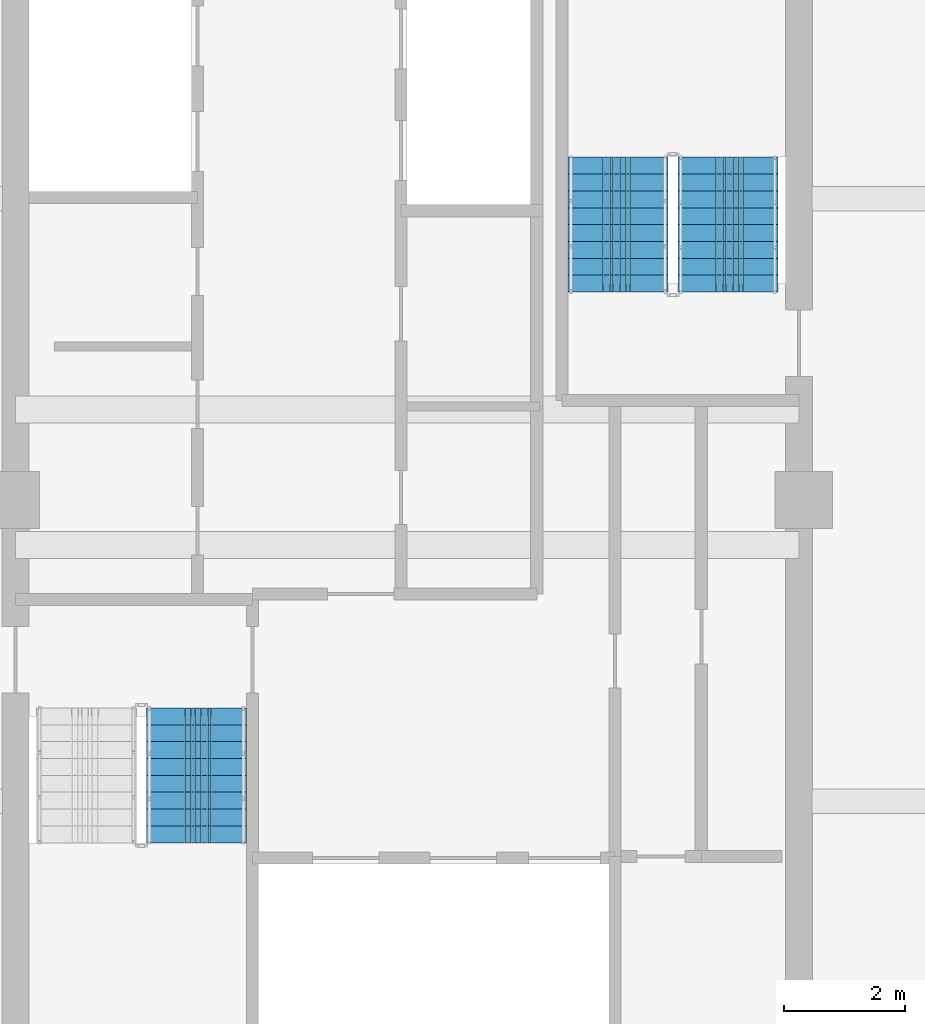
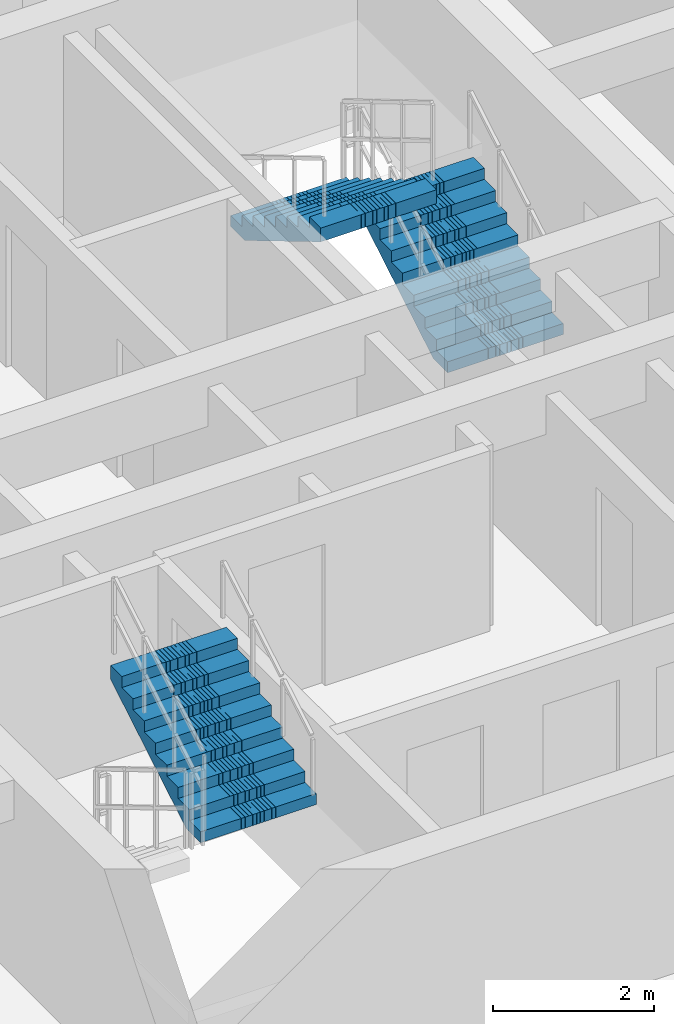
# One storey, part 19 of 24: 3 stair flights, 2 elements without a shape of their own.
"""IFC4 building model written with IfcOpenShell, lengths in metres."""

from ifc_helpers import new_model, si_unit, direction, frame, origin, place, context, subcontext, project, spatial, polyline, outline, extrude, material, type_object, element, aggregate, save


model = new_model("IFC4")

# Units and contexts
model_context = context("Model", 3, precision=1e-05, world=origin(), true_north=direction((0.0, 1.0)))
body_context = subcontext(model_context, "Body", "Model", "MODEL_VIEW")
ifc_project = project(units=[si_unit("LENGTHUNIT", "METRE"), si_unit("AREAUNIT", "SQUARE_METRE"), si_unit("VOLUMEUNIT", "CUBIC_METRE"), si_unit("PLANEANGLEUNIT", "RADIAN"), si_unit("MASSUNIT", "GRAM", prefix="KILO")], contexts=[model_context])

# Site, building, storey
site_placement = place(None, origin())
site = spatial("IfcSite", under=ifc_project, at=site_placement, CompositionType="ELEMENT")
building_placement = place(site_placement, origin())
building = spatial("IfcBuilding", under=site, at=building_placement, Name="Saelheon Loggia Tower", CompositionType="ELEMENT")
storey_placement = place(building_placement, frame((0.0, 0.0, 246.0)))
storey = spatial("IfcBuildingStorey", under=building, at=storey_placement, Name="L76", CompositionType="ELEMENT", Elevation=246.0)

# Stair, stair flight
ifc_material = material(Name="Concrete C40/50", Category="concrete")
stair_type = type_object("IfcStairType", Name="Stair_Escape_Core", PredefinedType="HALF_TURN_STAIR", material=ifc_material)
stair_1_placement = place(storey_placement, origin())
stair_1 = element("IfcStair", 1, at=stair_1_placement, inside=storey, type_object=stair_type, Name="L76 Special Escape Stair ST1", PredefinedType="HALF_TURN_STAIR")
stair_flight_type = type_object("IfcStairFlightType", Name="StairFlight_Tower_1660", PredefinedType="STRAIGHT", material=ifc_material)
stair_flight_1_placement = place(storey_placement, frame((34.5, 21.31005859375, 1.5), z_axis=(0.0, 0.0, 1.0), x_axis=(0.0, 1.0, 0.0)))
stair_flight_1 = element("IfcStairFlight", 2, at=stair_flight_1_placement, type_object=stair_flight_type, Name="ST1 flight 2", NumberOfRisers=9, NumberOfTreads=8, PredefinedType="STRAIGHT", RiserHeight=0.166666667, TreadLength=0.28, context=body_context, shape_type="SweptSolid", body=[
    extrude(outline(polyline([(0.0, 0.0), (0.0, 0.166748046875), (0.280029296875, 0.166748046875), (0.280029296875, 0.333251953125), (0.56005859375, 0.333251953125), (0.56005859375, 0.5), (0.840087890625, 0.5), (0.840087890625, 0.666748046875), (1.1201171875, 0.666748046875), (1.1201171875, 0.833251953125), (1.39990234375, 0.833251953125), (1.39990234375, 1.0), (1.679931640625, 1.0), (1.679931640625, 1.166748046875), (1.9599609375, 1.166748046875), (1.9599609375, 1.333251953125), (2.239990234375, 1.333251953125), (2.239990234375, 1.5), (2.239990234375, 1.1240234375), (0.351806640625, 0.0), (0.0, 0.0)])), frame((0.0, -0.2490234375, 0.0), z_axis=(0.0, -1.0, 0.0), x_axis=(1.0, 0.0, 0.0)), (0.0, 0.0, 1.0), 0.5810546875),
    extrude(outline(polyline([(0.0, 0.0), (0.0, 0.166748046875), (0.280029296875, 0.166748046875), (0.280029296875, 0.333251953125), (0.56005859375, 0.333251953125), (0.56005859375, 0.5), (0.840087890625, 0.5), (0.840087890625, 0.666748046875), (1.1201171875, 0.666748046875), (1.1201171875, 0.833251953125), (1.39990234375, 0.833251953125), (1.39990234375, 1.0), (1.679931640625, 1.0), (1.679931640625, 1.166748046875), (1.9599609375, 1.166748046875), (1.9599609375, 1.333251953125), (2.239990234375, 1.333251953125), (2.239990234375, 1.5), (2.239990234375, 1.1240234375), (0.351806640625, 0.0), (0.0, 0.0)])), frame((0.0, -0.194091796875, 0.0), z_axis=(0.0, -1.0, 0.0), x_axis=(1.0, 0.0, 0.0)), (0.0, 0.0, 1.0), 0.0498046875),
    extrude(outline(polyline([(0.0, 0.0), (0.0, 0.166748046875), (0.280029296875, 0.166748046875), (0.280029296875, 0.333251953125), (0.56005859375, 0.333251953125), (0.56005859375, 0.5), (0.840087890625, 0.5), (0.840087890625, 0.666748046875), (1.1201171875, 0.666748046875), (1.1201171875, 0.833251953125), (1.39990234375, 0.833251953125), (1.39990234375, 1.0), (1.679931640625, 1.0), (1.679931640625, 1.166748046875), (1.9599609375, 1.166748046875), (1.9599609375, 1.333251953125), (2.239990234375, 1.333251953125), (2.239990234375, 1.5), (2.239990234375, 1.1240234375), (0.351806640625, 0.0), (0.0, 0.0)])), frame((0.0, -0.139404296875, 0.0), z_axis=(0.0, -1.0, 0.0), x_axis=(1.0, 0.0, 0.0)), (0.0, 0.0, 1.0), 0.0498046875),
    extrude(outline(polyline([(0.0, 0.0), (0.0, 0.166748046875), (0.280029296875, 0.166748046875), (0.280029296875, 0.333251953125), (0.56005859375, 0.333251953125), (0.56005859375, 0.5), (0.840087890625, 0.5), (0.840087890625, 0.666748046875), (1.1201171875, 0.666748046875), (1.1201171875, 0.833251953125), (1.39990234375, 0.833251953125), (1.39990234375, 1.0), (1.679931640625, 1.0), (1.679931640625, 1.166748046875), (1.9599609375, 1.166748046875), (1.9599609375, 1.333251953125), (2.239990234375, 1.333251953125), (2.239990234375, 1.5), (2.239990234375, 1.1240234375), (0.351806640625, 0.0), (0.0, 0.0)])), frame((0.0, -0.084716796875, 0.0), z_axis=(0.0, -1.0, 0.0), x_axis=(1.0, 0.0, 0.0)), (0.0, 0.0, 1.0), 0.0498046875),
    extrude(outline(polyline([(0.0, 0.0), (0.0, 0.166748046875), (0.280029296875, 0.166748046875), (0.280029296875, 0.333251953125), (0.56005859375, 0.333251953125), (0.56005859375, 0.5), (0.840087890625, 0.5), (0.840087890625, 0.666748046875), (1.1201171875, 0.666748046875), (1.1201171875, 0.833251953125), (1.39990234375, 0.833251953125), (1.39990234375, 1.0), (1.679931640625, 1.0), (1.679931640625, 1.166748046875), (1.9599609375, 1.166748046875), (1.9599609375, 1.333251953125), (2.239990234375, 1.333251953125), (2.239990234375, 1.5), (2.239990234375, 1.1240234375), (0.351806640625, 0.0), (0.0, 0.0)])), frame((0.0, -0.02978515625, 0.0), z_axis=(0.0, -1.0, 0.0), x_axis=(1.0, 0.0, 0.0)), (0.0, 0.0, 1.0), 0.0498046875),
    extrude(outline(polyline([(0.0, 0.0), (0.0, 0.166748046875), (0.280029296875, 0.166748046875), (0.280029296875, 0.333251953125), (0.56005859375, 0.333251953125), (0.56005859375, 0.5), (0.840087890625, 0.5), (0.840087890625, 0.666748046875), (1.1201171875, 0.666748046875), (1.1201171875, 0.833251953125), (1.39990234375, 0.833251953125), (1.39990234375, 1.0), (1.679931640625, 1.0), (1.679931640625, 1.166748046875), (1.9599609375, 1.166748046875), (1.9599609375, 1.333251953125), (2.239990234375, 1.333251953125), (2.239990234375, 1.5), (2.239990234375, 1.1240234375), (0.351806640625, 0.0), (0.0, 0.0)])), frame((0.0, 0.02490234375, 0.0), z_axis=(0.0, -1.0, 0.0), x_axis=(1.0, 0.0, 0.0)), (0.0, 0.0, 1.0), 0.0498046875),
    extrude(outline(polyline([(0.0, 0.0), (0.0, 0.166748046875), (0.280029296875, 0.166748046875), (0.280029296875, 0.333251953125), (0.56005859375, 0.333251953125), (0.56005859375, 0.5), (0.840087890625, 0.5), (0.840087890625, 0.666748046875), (1.1201171875, 0.666748046875), (1.1201171875, 0.833251953125), (1.39990234375, 0.833251953125), (1.39990234375, 1.0), (1.679931640625, 1.0), (1.679931640625, 1.166748046875), (1.9599609375, 1.166748046875), (1.9599609375, 1.333251953125), (2.239990234375, 1.333251953125), (2.239990234375, 1.5), (2.239990234375, 1.1240234375), (0.351806640625, 0.0), (0.0, 0.0)])), frame((0.0, 0.07958984375, 0.0), z_axis=(0.0, -1.0, 0.0), x_axis=(1.0, 0.0, 0.0)), (0.0, 0.0, 1.0), 0.0498046875),
    extrude(outline(polyline([(0.0, 0.0), (0.0, 0.166748046875), (0.280029296875, 0.166748046875), (0.280029296875, 0.333251953125), (0.56005859375, 0.333251953125), (0.56005859375, 0.5), (0.840087890625, 0.5), (0.840087890625, 0.666748046875), (1.1201171875, 0.666748046875), (1.1201171875, 0.833251953125), (1.39990234375, 0.833251953125), (1.39990234375, 1.0), (1.679931640625, 1.0), (1.679931640625, 1.166748046875), (1.9599609375, 1.166748046875), (1.9599609375, 1.333251953125), (2.239990234375, 1.333251953125), (2.239990234375, 1.5), (2.239990234375, 1.1240234375), (0.351806640625, 0.0), (0.0, 0.0)])), frame((0.0, 0.134521484375, 0.0), z_axis=(0.0, -1.0, 0.0), x_axis=(1.0, 0.0, 0.0)), (0.0, 0.0, 1.0), 0.0498046875),
    extrude(outline(polyline([(0.0, 0.0), (0.0, 0.166748046875), (0.280029296875, 0.166748046875), (0.280029296875, 0.333251953125), (0.56005859375, 0.333251953125), (0.56005859375, 0.5), (0.840087890625, 0.5), (0.840087890625, 0.666748046875), (1.1201171875, 0.666748046875), (1.1201171875, 0.833251953125), (1.39990234375, 0.833251953125), (1.39990234375, 1.0), (1.679931640625, 1.0), (1.679931640625, 1.166748046875), (1.9599609375, 1.166748046875), (1.9599609375, 1.333251953125), (2.239990234375, 1.333251953125), (2.239990234375, 1.5), (2.239990234375, 1.1240234375), (0.351806640625, 0.0), (0.0, 0.0)])), frame((0.0, 0.189208984375, 0.0), z_axis=(0.0, -1.0, 0.0), x_axis=(1.0, 0.0, 0.0)), (0.0, 0.0, 1.0), 0.0498046875),
    extrude(outline(polyline([(0.0, 0.0), (0.0, 0.166748046875), (0.280029296875, 0.166748046875), (0.280029296875, 0.333251953125), (0.56005859375, 0.333251953125), (0.56005859375, 0.5), (0.840087890625, 0.5), (0.840087890625, 0.666748046875), (1.1201171875, 0.666748046875), (1.1201171875, 0.833251953125), (1.39990234375, 0.833251953125), (1.39990234375, 1.0), (1.679931640625, 1.0), (1.679931640625, 1.166748046875), (1.9599609375, 1.166748046875), (1.9599609375, 1.333251953125), (2.239990234375, 1.333251953125), (2.239990234375, 1.5), (2.239990234375, 1.1240234375), (0.351806640625, 0.0), (0.0, 0.0)])), frame((0.0, 0.243896484375, 0.0), z_axis=(0.0, -1.0, 0.0), x_axis=(1.0, 0.0, 0.0)), (0.0, 0.0, 1.0), 0.0498046875),
    extrude(outline(polyline([(0.0, 0.0), (0.0, 0.166748046875), (0.280029296875, 0.166748046875), (0.280029296875, 0.333251953125), (0.56005859375, 0.333251953125), (0.56005859375, 0.5), (0.840087890625, 0.5), (0.840087890625, 0.666748046875), (1.1201171875, 0.666748046875), (1.1201171875, 0.833251953125), (1.39990234375, 0.833251953125), (1.39990234375, 1.0), (1.679931640625, 1.0), (1.679931640625, 1.166748046875), (1.9599609375, 1.166748046875), (1.9599609375, 1.333251953125), (2.239990234375, 1.333251953125), (2.239990234375, 1.5), (2.239990234375, 1.1240234375), (0.351806640625, 0.0), (0.0, 0.0)])), frame((0.0, 0.830078125, 0.0), z_axis=(0.0, -1.0, 0.0), x_axis=(1.0, 0.0, 0.0)), (0.0, 0.0, 1.0), 0.5810546875),
])
aggregate(stair_1, [stair_flight_1])

# Stair, stair flights
stair_2_placement = place(storey_placement, origin())
stair_2 = element("IfcStair", 3, at=stair_2_placement, inside=storey, type_object=stair_type, Name="L76 Special Escape Stair ST2", PredefinedType="HALF_TURN_STAIR")
stair_flight_2_placement = place(storey_placement, frame((43.320068359375, 30.449951171875, 0.0), z_axis=(0.0, 0.0, 1.0), x_axis=(0.0, 1.0, 0.0)))
stair_flight_2 = element("IfcStairFlight", 4, at=stair_flight_2_placement, type_object=stair_flight_type, Name="ST2 flight 1", NumberOfRisers=9, NumberOfTreads=8, PredefinedType="STRAIGHT", RiserHeight=0.166666667, TreadLength=0.28, context=body_context, shape_type="SweptSolid", body=[
    extrude(outline(polyline([(0.0, 0.0), (0.0, 0.166748046875), (0.280029296875, 0.166748046875), (0.280029296875, 0.333251953125), (0.56005859375, 0.333251953125), (0.56005859375, 0.5), (0.840087890625, 0.5), (0.840087890625, 0.666748046875), (1.1201171875, 0.666748046875), (1.1201171875, 0.833251953125), (1.39990234375, 0.833251953125), (1.39990234375, 1.0), (1.679931640625, 1.0), (1.679931640625, 1.166748046875), (1.9599609375, 1.166748046875), (1.9599609375, 1.333251953125), (2.239990234375, 1.333251953125), (2.239990234375, 1.5), (2.239990234375, 1.1240234375), (0.351806640625, 0.0), (0.0, 0.0)])), frame((0.0, -0.2490234375, 0.0), z_axis=(0.0, -1.0, 0.0), x_axis=(1.0, 0.0, 0.0)), (0.0, 0.0, 1.0), 0.5810546875),
    extrude(outline(polyline([(0.0, 0.0), (0.0, 0.166748046875), (0.280029296875, 0.166748046875), (0.280029296875, 0.333251953125), (0.56005859375, 0.333251953125), (0.56005859375, 0.5), (0.840087890625, 0.5), (0.840087890625, 0.666748046875), (1.1201171875, 0.666748046875), (1.1201171875, 0.833251953125), (1.39990234375, 0.833251953125), (1.39990234375, 1.0), (1.679931640625, 1.0), (1.679931640625, 1.166748046875), (1.9599609375, 1.166748046875), (1.9599609375, 1.333251953125), (2.239990234375, 1.333251953125), (2.239990234375, 1.5), (2.239990234375, 1.1240234375), (0.351806640625, 0.0), (0.0, 0.0)])), frame((0.0, -0.194091796875, 0.0), z_axis=(0.0, -1.0, 0.0), x_axis=(1.0, 0.0, 0.0)), (0.0, 0.0, 1.0), 0.0498046875),
    extrude(outline(polyline([(0.0, 0.0), (0.0, 0.166748046875), (0.280029296875, 0.166748046875), (0.280029296875, 0.333251953125), (0.56005859375, 0.333251953125), (0.56005859375, 0.5), (0.840087890625, 0.5), (0.840087890625, 0.666748046875), (1.1201171875, 0.666748046875), (1.1201171875, 0.833251953125), (1.39990234375, 0.833251953125), (1.39990234375, 1.0), (1.679931640625, 1.0), (1.679931640625, 1.166748046875), (1.9599609375, 1.166748046875), (1.9599609375, 1.333251953125), (2.239990234375, 1.333251953125), (2.239990234375, 1.5), (2.239990234375, 1.1240234375), (0.351806640625, 0.0), (0.0, 0.0)])), frame((0.0, -0.139404296875, 0.0), z_axis=(0.0, -1.0, 0.0), x_axis=(1.0, 0.0, 0.0)), (0.0, 0.0, 1.0), 0.0498046875),
    extrude(outline(polyline([(0.0, 0.0), (0.0, 0.166748046875), (0.280029296875, 0.166748046875), (0.280029296875, 0.333251953125), (0.56005859375, 0.333251953125), (0.56005859375, 0.5), (0.840087890625, 0.5), (0.840087890625, 0.666748046875), (1.1201171875, 0.666748046875), (1.1201171875, 0.833251953125), (1.39990234375, 0.833251953125), (1.39990234375, 1.0), (1.679931640625, 1.0), (1.679931640625, 1.166748046875), (1.9599609375, 1.166748046875), (1.9599609375, 1.333251953125), (2.239990234375, 1.333251953125), (2.239990234375, 1.5), (2.239990234375, 1.1240234375), (0.351806640625, 0.0), (0.0, 0.0)])), frame((0.0, -0.084716796875, 0.0), z_axis=(0.0, -1.0, 0.0), x_axis=(1.0, 0.0, 0.0)), (0.0, 0.0, 1.0), 0.0498046875),
    extrude(outline(polyline([(0.0, 0.0), (0.0, 0.166748046875), (0.280029296875, 0.166748046875), (0.280029296875, 0.333251953125), (0.56005859375, 0.333251953125), (0.56005859375, 0.5), (0.840087890625, 0.5), (0.840087890625, 0.666748046875), (1.1201171875, 0.666748046875), (1.1201171875, 0.833251953125), (1.39990234375, 0.833251953125), (1.39990234375, 1.0), (1.679931640625, 1.0), (1.679931640625, 1.166748046875), (1.9599609375, 1.166748046875), (1.9599609375, 1.333251953125), (2.239990234375, 1.333251953125), (2.239990234375, 1.5), (2.239990234375, 1.1240234375), (0.351806640625, 0.0), (0.0, 0.0)])), frame((0.0, -0.02978515625, 0.0), z_axis=(0.0, -1.0, 0.0), x_axis=(1.0, 0.0, 0.0)), (0.0, 0.0, 1.0), 0.0498046875),
    extrude(outline(polyline([(0.0, 0.0), (0.0, 0.166748046875), (0.280029296875, 0.166748046875), (0.280029296875, 0.333251953125), (0.56005859375, 0.333251953125), (0.56005859375, 0.5), (0.840087890625, 0.5), (0.840087890625, 0.666748046875), (1.1201171875, 0.666748046875), (1.1201171875, 0.833251953125), (1.39990234375, 0.833251953125), (1.39990234375, 1.0), (1.679931640625, 1.0), (1.679931640625, 1.166748046875), (1.9599609375, 1.166748046875), (1.9599609375, 1.333251953125), (2.239990234375, 1.333251953125), (2.239990234375, 1.5), (2.239990234375, 1.1240234375), (0.351806640625, 0.0), (0.0, 0.0)])), frame((0.0, 0.02490234375, 0.0), z_axis=(0.0, -1.0, 0.0), x_axis=(1.0, 0.0, 0.0)), (0.0, 0.0, 1.0), 0.0498046875),
    extrude(outline(polyline([(0.0, 0.0), (0.0, 0.166748046875), (0.280029296875, 0.166748046875), (0.280029296875, 0.333251953125), (0.56005859375, 0.333251953125), (0.56005859375, 0.5), (0.840087890625, 0.5), (0.840087890625, 0.666748046875), (1.1201171875, 0.666748046875), (1.1201171875, 0.833251953125), (1.39990234375, 0.833251953125), (1.39990234375, 1.0), (1.679931640625, 1.0), (1.679931640625, 1.166748046875), (1.9599609375, 1.166748046875), (1.9599609375, 1.333251953125), (2.239990234375, 1.333251953125), (2.239990234375, 1.5), (2.239990234375, 1.1240234375), (0.351806640625, 0.0), (0.0, 0.0)])), frame((0.0, 0.07958984375, 0.0), z_axis=(0.0, -1.0, 0.0), x_axis=(1.0, 0.0, 0.0)), (0.0, 0.0, 1.0), 0.0498046875),
    extrude(outline(polyline([(0.0, 0.0), (0.0, 0.166748046875), (0.280029296875, 0.166748046875), (0.280029296875, 0.333251953125), (0.56005859375, 0.333251953125), (0.56005859375, 0.5), (0.840087890625, 0.5), (0.840087890625, 0.666748046875), (1.1201171875, 0.666748046875), (1.1201171875, 0.833251953125), (1.39990234375, 0.833251953125), (1.39990234375, 1.0), (1.679931640625, 1.0), (1.679931640625, 1.166748046875), (1.9599609375, 1.166748046875), (1.9599609375, 1.333251953125), (2.239990234375, 1.333251953125), (2.239990234375, 1.5), (2.239990234375, 1.1240234375), (0.351806640625, 0.0), (0.0, 0.0)])), frame((0.0, 0.134521484375, 0.0), z_axis=(0.0, -1.0, 0.0), x_axis=(1.0, 0.0, 0.0)), (0.0, 0.0, 1.0), 0.0498046875),
    extrude(outline(polyline([(0.0, 0.0), (0.0, 0.166748046875), (0.280029296875, 0.166748046875), (0.280029296875, 0.333251953125), (0.56005859375, 0.333251953125), (0.56005859375, 0.5), (0.840087890625, 0.5), (0.840087890625, 0.666748046875), (1.1201171875, 0.666748046875), (1.1201171875, 0.833251953125), (1.39990234375, 0.833251953125), (1.39990234375, 1.0), (1.679931640625, 1.0), (1.679931640625, 1.166748046875), (1.9599609375, 1.166748046875), (1.9599609375, 1.333251953125), (2.239990234375, 1.333251953125), (2.239990234375, 1.5), (2.239990234375, 1.1240234375), (0.351806640625, 0.0), (0.0, 0.0)])), frame((0.0, 0.189208984375, 0.0), z_axis=(0.0, -1.0, 0.0), x_axis=(1.0, 0.0, 0.0)), (0.0, 0.0, 1.0), 0.0498046875),
    extrude(outline(polyline([(0.0, 0.0), (0.0, 0.166748046875), (0.280029296875, 0.166748046875), (0.280029296875, 0.333251953125), (0.56005859375, 0.333251953125), (0.56005859375, 0.5), (0.840087890625, 0.5), (0.840087890625, 0.666748046875), (1.1201171875, 0.666748046875), (1.1201171875, 0.833251953125), (1.39990234375, 0.833251953125), (1.39990234375, 1.0), (1.679931640625, 1.0), (1.679931640625, 1.166748046875), (1.9599609375, 1.166748046875), (1.9599609375, 1.333251953125), (2.239990234375, 1.333251953125), (2.239990234375, 1.5), (2.239990234375, 1.1240234375), (0.351806640625, 0.0), (0.0, 0.0)])), frame((0.0, 0.243896484375, 0.0), z_axis=(0.0, -1.0, 0.0), x_axis=(1.0, 0.0, 0.0)), (0.0, 0.0, 1.0), 0.0498046875),
    extrude(outline(polyline([(0.0, 0.0), (0.0, 0.166748046875), (0.280029296875, 0.166748046875), (0.280029296875, 0.333251953125), (0.56005859375, 0.333251953125), (0.56005859375, 0.5), (0.840087890625, 0.5), (0.840087890625, 0.666748046875), (1.1201171875, 0.666748046875), (1.1201171875, 0.833251953125), (1.39990234375, 0.833251953125), (1.39990234375, 1.0), (1.679931640625, 1.0), (1.679931640625, 1.166748046875), (1.9599609375, 1.166748046875), (1.9599609375, 1.333251953125), (2.239990234375, 1.333251953125), (2.239990234375, 1.5), (2.239990234375, 1.1240234375), (0.351806640625, 0.0), (0.0, 0.0)])), frame((0.0, 0.830078125, 0.0), z_axis=(0.0, -1.0, 0.0), x_axis=(1.0, 0.0, 0.0)), (0.0, 0.0, 1.0), 0.5810546875),
])
stair_flight_3_placement = place(storey_placement, frame((41.5, 32.68994140625, 1.5), z_axis=(0.0, 0.0, 1.0), x_axis=(0.0, -1.0, 0.0)))
stair_flight_3 = element("IfcStairFlight", 5, at=stair_flight_3_placement, type_object=stair_flight_type, Name="ST2 flight 2", NumberOfRisers=9, NumberOfTreads=8, PredefinedType="STRAIGHT", RiserHeight=0.166666667, TreadLength=0.28, context=body_context, shape_type="SweptSolid", body=[
    extrude(outline(polyline([(0.0, 0.0), (0.0, 0.166748046875), (0.280029296875, 0.166748046875), (0.280029296875, 0.333251953125), (0.56005859375, 0.333251953125), (0.56005859375, 0.5), (0.840087890625, 0.5), (0.840087890625, 0.666748046875), (1.1201171875, 0.666748046875), (1.1201171875, 0.833251953125), (1.39990234375, 0.833251953125), (1.39990234375, 1.0), (1.679931640625, 1.0), (1.679931640625, 1.166748046875), (1.9599609375, 1.166748046875), (1.9599609375, 1.333251953125), (2.239990234375, 1.333251953125), (2.239990234375, 1.5), (2.239990234375, 1.1240234375), (0.351806640625, 0.0), (0.0, 0.0)])), frame((0.0, -0.2490234375, 0.0), z_axis=(0.0, -1.0, 0.0), x_axis=(1.0, 0.0, 0.0)), (0.0, 0.0, 1.0), 0.5810546875),
    extrude(outline(polyline([(0.0, 0.0), (0.0, 0.166748046875), (0.280029296875, 0.166748046875), (0.280029296875, 0.333251953125), (0.56005859375, 0.333251953125), (0.56005859375, 0.5), (0.840087890625, 0.5), (0.840087890625, 0.666748046875), (1.1201171875, 0.666748046875), (1.1201171875, 0.833251953125), (1.39990234375, 0.833251953125), (1.39990234375, 1.0), (1.679931640625, 1.0), (1.679931640625, 1.166748046875), (1.9599609375, 1.166748046875), (1.9599609375, 1.333251953125), (2.239990234375, 1.333251953125), (2.239990234375, 1.5), (2.239990234375, 1.1240234375), (0.351806640625, 0.0), (0.0, 0.0)])), frame((0.0, -0.194091796875, 0.0), z_axis=(0.0, -1.0, 0.0), x_axis=(1.0, 0.0, 0.0)), (0.0, 0.0, 1.0), 0.0498046875),
    extrude(outline(polyline([(0.0, 0.0), (0.0, 0.166748046875), (0.280029296875, 0.166748046875), (0.280029296875, 0.333251953125), (0.56005859375, 0.333251953125), (0.56005859375, 0.5), (0.840087890625, 0.5), (0.840087890625, 0.666748046875), (1.1201171875, 0.666748046875), (1.1201171875, 0.833251953125), (1.39990234375, 0.833251953125), (1.39990234375, 1.0), (1.679931640625, 1.0), (1.679931640625, 1.166748046875), (1.9599609375, 1.166748046875), (1.9599609375, 1.333251953125), (2.239990234375, 1.333251953125), (2.239990234375, 1.5), (2.239990234375, 1.1240234375), (0.351806640625, 0.0), (0.0, 0.0)])), frame((0.0, -0.139404296875, 0.0), z_axis=(0.0, -1.0, 0.0), x_axis=(1.0, 0.0, 0.0)), (0.0, 0.0, 1.0), 0.0498046875),
    extrude(outline(polyline([(0.0, 0.0), (0.0, 0.166748046875), (0.280029296875, 0.166748046875), (0.280029296875, 0.333251953125), (0.56005859375, 0.333251953125), (0.56005859375, 0.5), (0.840087890625, 0.5), (0.840087890625, 0.666748046875), (1.1201171875, 0.666748046875), (1.1201171875, 0.833251953125), (1.39990234375, 0.833251953125), (1.39990234375, 1.0), (1.679931640625, 1.0), (1.679931640625, 1.166748046875), (1.9599609375, 1.166748046875), (1.9599609375, 1.333251953125), (2.239990234375, 1.333251953125), (2.239990234375, 1.5), (2.239990234375, 1.1240234375), (0.351806640625, 0.0), (0.0, 0.0)])), frame((0.0, -0.084716796875, 0.0), z_axis=(0.0, -1.0, 0.0), x_axis=(1.0, 0.0, 0.0)), (0.0, 0.0, 1.0), 0.0498046875),
    extrude(outline(polyline([(0.0, 0.0), (0.0, 0.166748046875), (0.280029296875, 0.166748046875), (0.280029296875, 0.333251953125), (0.56005859375, 0.333251953125), (0.56005859375, 0.5), (0.840087890625, 0.5), (0.840087890625, 0.666748046875), (1.1201171875, 0.666748046875), (1.1201171875, 0.833251953125), (1.39990234375, 0.833251953125), (1.39990234375, 1.0), (1.679931640625, 1.0), (1.679931640625, 1.166748046875), (1.9599609375, 1.166748046875), (1.9599609375, 1.333251953125), (2.239990234375, 1.333251953125), (2.239990234375, 1.5), (2.239990234375, 1.1240234375), (0.351806640625, 0.0), (0.0, 0.0)])), frame((0.0, -0.02978515625, 0.0), z_axis=(0.0, -1.0, 0.0), x_axis=(1.0, 0.0, 0.0)), (0.0, 0.0, 1.0), 0.0498046875),
    extrude(outline(polyline([(0.0, 0.0), (0.0, 0.166748046875), (0.280029296875, 0.166748046875), (0.280029296875, 0.333251953125), (0.56005859375, 0.333251953125), (0.56005859375, 0.5), (0.840087890625, 0.5), (0.840087890625, 0.666748046875), (1.1201171875, 0.666748046875), (1.1201171875, 0.833251953125), (1.39990234375, 0.833251953125), (1.39990234375, 1.0), (1.679931640625, 1.0), (1.679931640625, 1.166748046875), (1.9599609375, 1.166748046875), (1.9599609375, 1.333251953125), (2.239990234375, 1.333251953125), (2.239990234375, 1.5), (2.239990234375, 1.1240234375), (0.351806640625, 0.0), (0.0, 0.0)])), frame((0.0, 0.02490234375, 0.0), z_axis=(0.0, -1.0, 0.0), x_axis=(1.0, 0.0, 0.0)), (0.0, 0.0, 1.0), 0.0498046875),
    extrude(outline(polyline([(0.0, 0.0), (0.0, 0.166748046875), (0.280029296875, 0.166748046875), (0.280029296875, 0.333251953125), (0.56005859375, 0.333251953125), (0.56005859375, 0.5), (0.840087890625, 0.5), (0.840087890625, 0.666748046875), (1.1201171875, 0.666748046875), (1.1201171875, 0.833251953125), (1.39990234375, 0.833251953125), (1.39990234375, 1.0), (1.679931640625, 1.0), (1.679931640625, 1.166748046875), (1.9599609375, 1.166748046875), (1.9599609375, 1.333251953125), (2.239990234375, 1.333251953125), (2.239990234375, 1.5), (2.239990234375, 1.1240234375), (0.351806640625, 0.0), (0.0, 0.0)])), frame((0.0, 0.07958984375, 0.0), z_axis=(0.0, -1.0, 0.0), x_axis=(1.0, 0.0, 0.0)), (0.0, 0.0, 1.0), 0.0498046875),
    extrude(outline(polyline([(0.0, 0.0), (0.0, 0.166748046875), (0.280029296875, 0.166748046875), (0.280029296875, 0.333251953125), (0.56005859375, 0.333251953125), (0.56005859375, 0.5), (0.840087890625, 0.5), (0.840087890625, 0.666748046875), (1.1201171875, 0.666748046875), (1.1201171875, 0.833251953125), (1.39990234375, 0.833251953125), (1.39990234375, 1.0), (1.679931640625, 1.0), (1.679931640625, 1.166748046875), (1.9599609375, 1.166748046875), (1.9599609375, 1.333251953125), (2.239990234375, 1.333251953125), (2.239990234375, 1.5), (2.239990234375, 1.1240234375), (0.351806640625, 0.0), (0.0, 0.0)])), frame((0.0, 0.134521484375, 0.0), z_axis=(0.0, -1.0, 0.0), x_axis=(1.0, 0.0, 0.0)), (0.0, 0.0, 1.0), 0.0498046875),
    extrude(outline(polyline([(0.0, 0.0), (0.0, 0.166748046875), (0.280029296875, 0.166748046875), (0.280029296875, 0.333251953125), (0.56005859375, 0.333251953125), (0.56005859375, 0.5), (0.840087890625, 0.5), (0.840087890625, 0.666748046875), (1.1201171875, 0.666748046875), (1.1201171875, 0.833251953125), (1.39990234375, 0.833251953125), (1.39990234375, 1.0), (1.679931640625, 1.0), (1.679931640625, 1.166748046875), (1.9599609375, 1.166748046875), (1.9599609375, 1.333251953125), (2.239990234375, 1.333251953125), (2.239990234375, 1.5), (2.239990234375, 1.1240234375), (0.351806640625, 0.0), (0.0, 0.0)])), frame((0.0, 0.189208984375, 0.0), z_axis=(0.0, -1.0, 0.0), x_axis=(1.0, 0.0, 0.0)), (0.0, 0.0, 1.0), 0.0498046875),
    extrude(outline(polyline([(0.0, 0.0), (0.0, 0.166748046875), (0.280029296875, 0.166748046875), (0.280029296875, 0.333251953125), (0.56005859375, 0.333251953125), (0.56005859375, 0.5), (0.840087890625, 0.5), (0.840087890625, 0.666748046875), (1.1201171875, 0.666748046875), (1.1201171875, 0.833251953125), (1.39990234375, 0.833251953125), (1.39990234375, 1.0), (1.679931640625, 1.0), (1.679931640625, 1.166748046875), (1.9599609375, 1.166748046875), (1.9599609375, 1.333251953125), (2.239990234375, 1.333251953125), (2.239990234375, 1.5), (2.239990234375, 1.1240234375), (0.351806640625, 0.0), (0.0, 0.0)])), frame((0.0, 0.243896484375, 0.0), z_axis=(0.0, -1.0, 0.0), x_axis=(1.0, 0.0, 0.0)), (0.0, 0.0, 1.0), 0.0498046875),
    extrude(outline(polyline([(0.0, 0.0), (0.0, 0.166748046875), (0.280029296875, 0.166748046875), (0.280029296875, 0.333251953125), (0.56005859375, 0.333251953125), (0.56005859375, 0.5), (0.840087890625, 0.5), (0.840087890625, 0.666748046875), (1.1201171875, 0.666748046875), (1.1201171875, 0.833251953125), (1.39990234375, 0.833251953125), (1.39990234375, 1.0), (1.679931640625, 1.0), (1.679931640625, 1.166748046875), (1.9599609375, 1.166748046875), (1.9599609375, 1.333251953125), (2.239990234375, 1.333251953125), (2.239990234375, 1.5), (2.239990234375, 1.1240234375), (0.351806640625, 0.0), (0.0, 0.0)])), frame((0.0, 0.830078125, 0.0), z_axis=(0.0, -1.0, 0.0), x_axis=(1.0, 0.0, 0.0)), (0.0, 0.0, 1.0), 0.5810546875),
])
aggregate(stair_2, [stair_flight_2, stair_flight_3])

save(model, "model.ifc")
